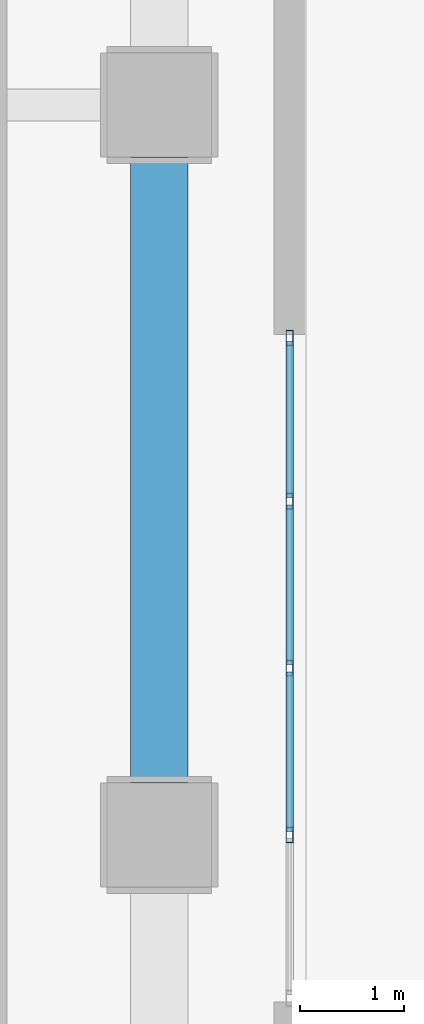
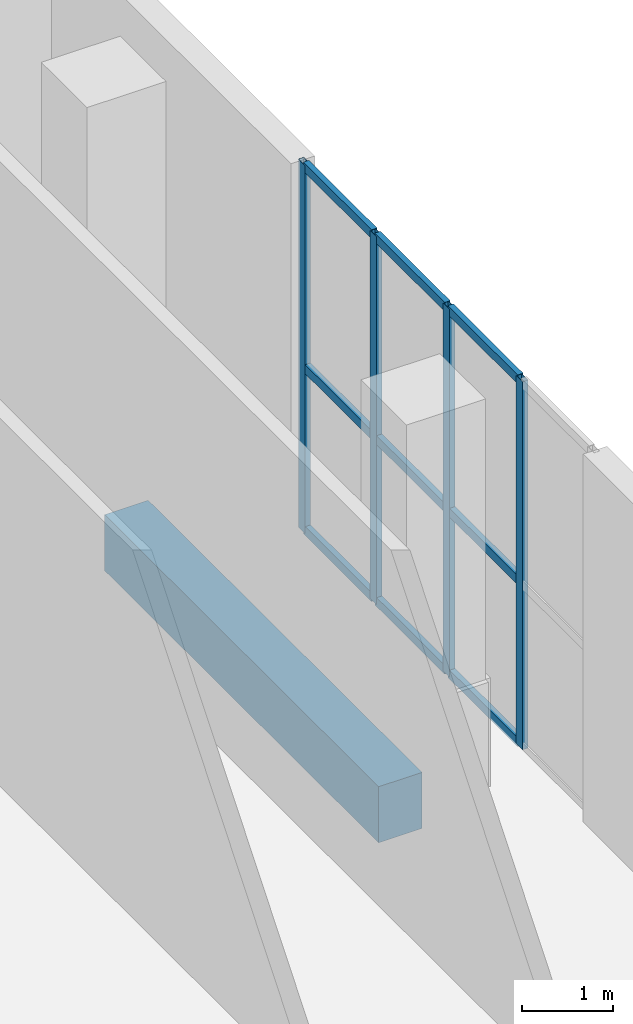
# One storey, part 16 of 30: 13 members, 1 beam, 1 element without a shape of its own.
"""IFC4 building model written with IfcOpenShell, lengths in metres."""

from ifc_helpers import new_model, si_unit, direction, frame, origin, origin_2d, place, context, subcontext, project, spatial, rectangle, hollow_rectangle, extrude, material, layer, layer_set, material_profile, profile_set, type_object, element, aggregate, save


model = new_model("IFC4")

# Units and contexts
model_context = context("Model", 3, precision=1e-05, world=origin(), true_north=direction((0.0, 1.0)))
body_context = subcontext(model_context, "Body", "Model", "MODEL_VIEW")
ifc_project = project(units=[si_unit("LENGTHUNIT", "METRE"), si_unit("AREAUNIT", "SQUARE_METRE"), si_unit("VOLUMEUNIT", "CUBIC_METRE"), si_unit("PLANEANGLEUNIT", "RADIAN"), si_unit("MASSUNIT", "GRAM", prefix="KILO")], contexts=[model_context])

# Site, building, storey
site_placement = place(None, origin())
site = spatial("IfcSite", under=ifc_project, at=site_placement, CompositionType="ELEMENT")
building_placement = place(site_placement, origin())
building = spatial("IfcBuilding", under=site, at=building_placement, Name="Solanera Arch Residences", CompositionType="ELEMENT")
storey_placement = place(building_placement, origin())
storey = spatial("IfcBuildingStorey", under=building, at=storey_placement, Name="L00", CompositionType="ELEMENT", Elevation=0.0)

# Curtain wall, members
ifc_material_1 = material(Name="Anodised Aluminium Alloy 6063-T6", Category="aluminium")
ifc_layer = layer(ifc_material_1, 0.14990234375)
ifc_layer_set = layer_set([ifc_layer], Name="Anodised Aluminium Alloy 6063-T6")
curtain_wall_type = type_object("IfcCurtainWallType", Name="CW-2 Paseo Shopfront Glazing", PredefinedType="USERDEFINED", material=ifc_layer_set)
curtain_wall_placement = place(storey_placement, origin())
curtain_wall = element("IfcCurtainWall", 1, at=curtain_wall_placement, inside=storey, type_object=curtain_wall_type, Name="L00 Sports Hall East Promenade Glazing 1", ObjectType="CURTAIN_WALL", PredefinedType="USERDEFINED")
ifc_material_2 = material(Name="Anodised Aluminium Alloy 6063-T6", Category="aluminium")
ifc_material_profile_1 = material_profile(ifc_material_2, hollow_rectangle(XDim=0.070068359375, YDim=0.14990234375, WallThickness=0.00390625, at=origin_2d()))
ifc_profile_set_1 = profile_set([ifc_material_profile_1], Name="Anodised Aluminium Alloy 6063-T6")
member_type_1 = type_object("IfcMemberType", Name="Curtain Wall Mullion ALU-MUL-70X150", PredefinedType="MULLION", material=ifc_profile_set_1)
member_1_placement = place(storey_placement, frame((83.050048828125, 39.1650390625, 0.0), z_axis=(0.0, 0.0, 1.0), x_axis=(1.0, 0.0, 0.0)))
member_1 = element("IfcMember", 2, at=member_1_placement, type_object=member_type_1, Name="CW-2 mullion 1", PredefinedType="MULLION", context=body_context, shape_type="SweptSolid", body=[
    extrude(hollow_rectangle(XDim=0.070068359375, YDim=0.14990234375, WallThickness=0.00390625, at=origin_2d()), origin(), (0.0, 0.0, 1.0), 4.919921875),
])
member_2_placement = place(storey_placement, frame((83.050048828125, 37.60009765625, 0.0), z_axis=(0.0, 0.0, 1.0), x_axis=(1.0, 0.0, 0.0)))
member_2 = element("IfcMember", 3, at=member_2_placement, type_object=member_type_1, Name="CW-2 mullion 2", PredefinedType="MULLION", context=body_context, shape_type="SweptSolid", body=[
    extrude(hollow_rectangle(XDim=0.070068359375, YDim=0.14990234375, WallThickness=0.00390625, at=origin_2d()), origin(), (0.0, 0.0, 1.0), 4.919921875),
])
member_3_placement = place(storey_placement, frame((83.050048828125, 36.0, 0.0), z_axis=(0.0, 0.0, 1.0), x_axis=(1.0, 0.0, 0.0)))
member_3 = element("IfcMember", 4, at=member_3_placement, type_object=member_type_1, Name="CW-2 mullion 3", PredefinedType="MULLION", context=body_context, shape_type="SweptSolid", body=[
    extrude(hollow_rectangle(XDim=0.070068359375, YDim=0.14990234375, WallThickness=0.00390625, at=origin_2d()), origin(), (0.0, 0.0, 1.0), 4.919921875),
])
member_4_placement = place(storey_placement, frame((83.050048828125, 34.39990234375, 0.0), z_axis=(0.0, 0.0, 1.0), x_axis=(1.0, 0.0, 0.0)))
member_4 = element("IfcMember", 5, at=member_4_placement, type_object=member_type_1, Name="CW-2 mullion 4", PredefinedType="MULLION", context=body_context, shape_type="SweptSolid", body=[
    extrude(hollow_rectangle(XDim=0.070068359375, YDim=0.14990234375, WallThickness=0.00390625, at=origin_2d()), origin(), (0.0, 0.0, 1.0), 4.919921875),
])
ifc_material_3 = material(Name="Anodised Aluminium Alloy 6063-T6", Category="aluminium")
ifc_material_profile_2 = material_profile(ifc_material_3, hollow_rectangle(XDim=0.070068359375, YDim=0.1201171875, WallThickness=0.00390625, at=origin_2d()))
ifc_profile_set_2 = profile_set([ifc_material_profile_2], Name="Anodised Aluminium Alloy 6063-T6")
member_type_2 = type_object("IfcMemberType", Name="Curtain Wall Transom ALU-TRN-70X120", PredefinedType="USERDEFINED", material=ifc_profile_set_2)
member_5_placement = place(storey_placement, frame((83.050048828125, 39.1298828125, 0.034912109375), z_axis=(0.0, -1.0, 0.0), x_axis=(1.0, 0.0, 0.0)))
member_5 = element("IfcMember", 6, at=member_5_placement, type_object=member_type_2, Name="CW-2 transom 1.1", ObjectType="TRANSOM", PredefinedType="USERDEFINED", context=body_context, shape_type="SweptSolid", body=[
    extrude(hollow_rectangle(XDim=0.070068359375, YDim=0.1201171875, WallThickness=0.00390625, at=origin_2d()), origin(), (0.0, 0.0, 1.0), 1.494873046875),
])
member_6_placement = place(storey_placement, frame((83.050048828125, 39.1298828125, 2.199951171875), z_axis=(0.0, -1.0, 0.0), x_axis=(1.0, 0.0, 0.0)))
member_6 = element("IfcMember", 7, at=member_6_placement, type_object=member_type_2, Name="CW-2 transom 1.2", ObjectType="TRANSOM", PredefinedType="USERDEFINED", context=body_context, shape_type="SweptSolid", body=[
    extrude(hollow_rectangle(XDim=0.070068359375, YDim=0.1201171875, WallThickness=0.00390625, at=origin_2d()), origin(), (0.0, 0.0, 1.0), 1.494873046875),
])
member_7_placement = place(storey_placement, frame((83.050048828125, 39.1298828125, 4.885009765625), z_axis=(0.0, -1.0, 0.0), x_axis=(1.0, 0.0, 0.0)))
member_7 = element("IfcMember", 8, at=member_7_placement, type_object=member_type_2, Name="CW-2 transom 1.3", ObjectType="TRANSOM", PredefinedType="USERDEFINED", context=body_context, shape_type="SweptSolid", body=[
    extrude(hollow_rectangle(XDim=0.070068359375, YDim=0.1201171875, WallThickness=0.00390625, at=origin_2d()), origin(), (0.0, 0.0, 1.0), 1.494873046875),
])
member_8_placement = place(storey_placement, frame((83.050048828125, 37.56494140625, 0.034912109375), z_axis=(0.0, -1.0, 0.0), x_axis=(1.0, 0.0, 0.0)))
member_8 = element("IfcMember", 9, at=member_8_placement, type_object=member_type_2, Name="CW-2 transom 2.1", ObjectType="TRANSOM", PredefinedType="USERDEFINED", context=body_context, shape_type="SweptSolid", body=[
    extrude(hollow_rectangle(XDim=0.070068359375, YDim=0.1201171875, WallThickness=0.00390625, at=origin_2d()), origin(), (0.0, 0.0, 1.0), 1.530029296875),
])
member_9_placement = place(storey_placement, frame((83.050048828125, 37.56494140625, 2.199951171875), z_axis=(0.0, -1.0, 0.0), x_axis=(1.0, 0.0, 0.0)))
member_9 = element("IfcMember", 10, at=member_9_placement, type_object=member_type_2, Name="CW-2 transom 2.2", ObjectType="TRANSOM", PredefinedType="USERDEFINED", context=body_context, shape_type="SweptSolid", body=[
    extrude(hollow_rectangle(XDim=0.070068359375, YDim=0.1201171875, WallThickness=0.00390625, at=origin_2d()), origin(), (0.0, 0.0, 1.0), 1.530029296875),
])
member_10_placement = place(storey_placement, frame((83.050048828125, 37.56494140625, 4.885009765625), z_axis=(0.0, -1.0, 0.0), x_axis=(1.0, 0.0, 0.0)))
member_10 = element("IfcMember", 11, at=member_10_placement, type_object=member_type_2, Name="CW-2 transom 2.3", ObjectType="TRANSOM", PredefinedType="USERDEFINED", context=body_context, shape_type="SweptSolid", body=[
    extrude(hollow_rectangle(XDim=0.070068359375, YDim=0.1201171875, WallThickness=0.00390625, at=origin_2d()), origin(), (0.0, 0.0, 1.0), 1.530029296875),
])
member_11_placement = place(storey_placement, frame((83.050048828125, 35.965087890625, 0.034912109375), z_axis=(0.0, -1.0, 0.0), x_axis=(1.0, 0.0, 0.0)))
member_11 = element("IfcMember", 12, at=member_11_placement, type_object=member_type_2, Name="CW-2 transom 3.1", ObjectType="TRANSOM", PredefinedType="USERDEFINED", context=body_context, shape_type="SweptSolid", body=[
    extrude(hollow_rectangle(XDim=0.070068359375, YDim=0.1201171875, WallThickness=0.00390625, at=origin_2d()), origin(), (0.0, 0.0, 1.0), 1.530029296875),
])
member_12_placement = place(storey_placement, frame((83.050048828125, 35.965087890625, 2.199951171875), z_axis=(0.0, -1.0, 0.0), x_axis=(1.0, 0.0, 0.0)))
member_12 = element("IfcMember", 13, at=member_12_placement, type_object=member_type_2, Name="CW-2 transom 3.2", ObjectType="TRANSOM", PredefinedType="USERDEFINED", context=body_context, shape_type="SweptSolid", body=[
    extrude(hollow_rectangle(XDim=0.070068359375, YDim=0.1201171875, WallThickness=0.00390625, at=origin_2d()), origin(), (0.0, 0.0, 1.0), 1.530029296875),
])
member_13_placement = place(storey_placement, frame((83.050048828125, 35.965087890625, 4.885009765625), z_axis=(0.0, -1.0, 0.0), x_axis=(1.0, 0.0, 0.0)))
member_13 = element("IfcMember", 14, at=member_13_placement, type_object=member_type_2, Name="CW-2 transom 3.3", ObjectType="TRANSOM", PredefinedType="USERDEFINED", context=body_context, shape_type="SweptSolid", body=[
    extrude(hollow_rectangle(XDim=0.070068359375, YDim=0.1201171875, WallThickness=0.00390625, at=origin_2d()), origin(), (0.0, 0.0, 1.0), 1.530029296875),
])
aggregate(curtain_wall, [member_1, member_2, member_3, member_4, member_5, member_6, member_7, member_8, member_9, member_10, member_11, member_12, member_13])

# Beam
ifc_material_4 = material(Name="Concrete C40/50 (f'c = 45 MPa)", Category="concrete")
ifc_material_profile_3 = material_profile(ifc_material_4, rectangle(XDim=0.550048828125, YDim=0.75, at=origin_2d()))
ifc_profile_set_3 = profile_set([ifc_material_profile_3], Name="Concrete C40/50 (f'c = 45 MPa)")
beam_type = type_object("IfcBeamType", Name="Primary Beam RC-BM-550X750", PredefinedType="BEAM", material=ifc_profile_set_3)
beam_placement = place(storey_placement, frame((81.800048828125, 34.89990234375, -0.695068359375), z_axis=(0.0, 1.0, 0.0), x_axis=(-1.0, 0.0, 0.0)))
element("IfcBeam", 15, at=beam_placement, inside=storey, type_object=beam_type, Name="BM-L00-HE-4", PredefinedType="BEAM", context=body_context, shape_type="SweptSolid", body=[
    extrude(rectangle(XDim=0.550048828125, YDim=0.75, at=origin_2d()), origin(), (0.0, 0.0, 1.0), 6.0),
])

save(model, "model.ifc")
